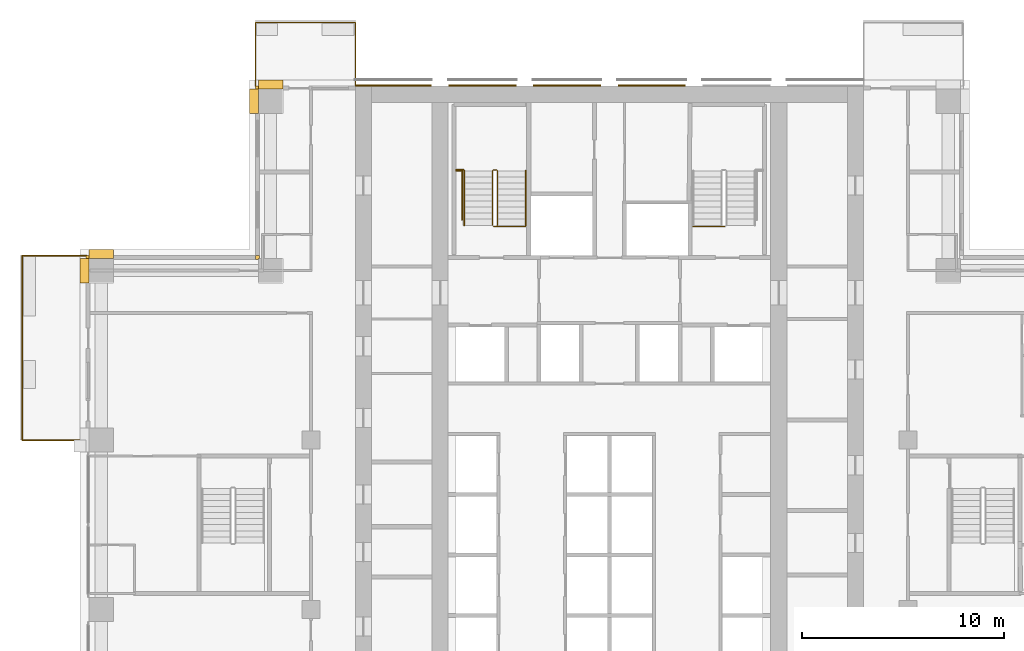
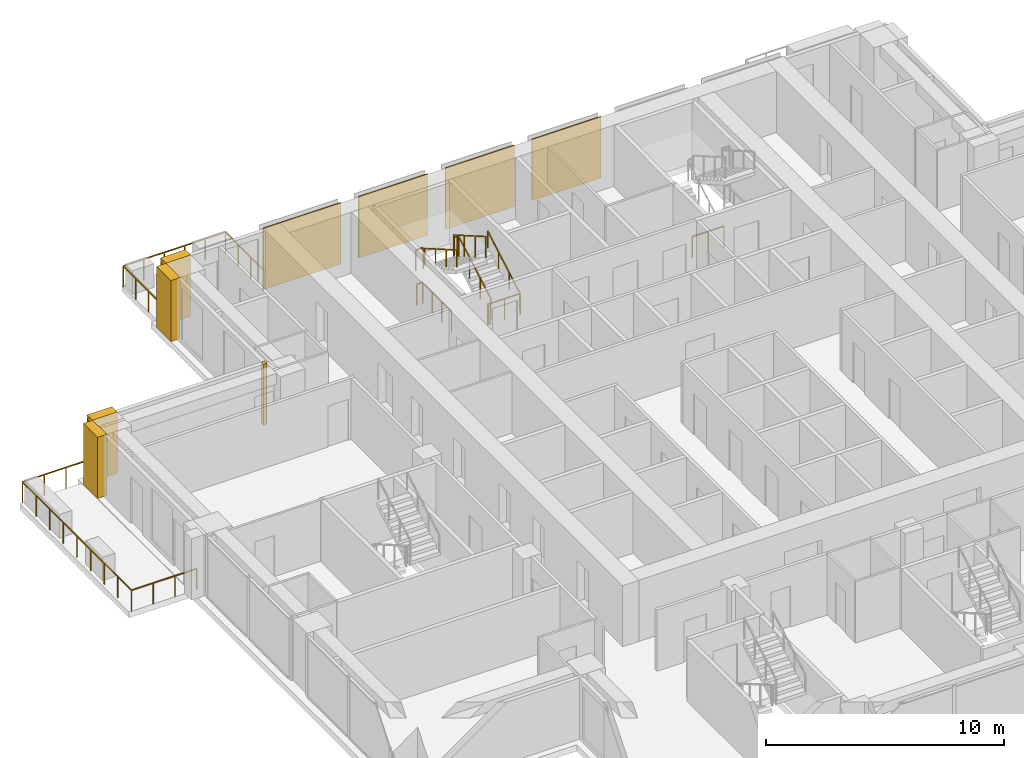
# One storey, part 16 of 17: 11 coverings, 9 railings.
"""IFC4 building model written with IfcOpenShell, lengths in metres."""

from ifc_helpers import new_model, si_unit, direction, frame, origin, origin_2d, place, context, subcontext, project, spatial, polyline, rectangle, outline, extrude, material, type_object, element, save


model = new_model("IFC4")

# Units and contexts
model_context = context("Model", 3, precision=1e-05, world=origin(), true_north=direction((0.0, 1.0)))
body_context = subcontext(model_context, "Body", "Model", "MODEL_VIEW")
ifc_project = project(units=[si_unit("LENGTHUNIT", "METRE"), si_unit("AREAUNIT", "SQUARE_METRE"), si_unit("VOLUMEUNIT", "CUBIC_METRE"), si_unit("PLANEANGLEUNIT", "RADIAN"), si_unit("MASSUNIT", "GRAM", prefix="KILO")], contexts=[model_context])

# Site, building, storey
site_placement = place(None, origin())
site = spatial("IfcSite", under=ifc_project, at=site_placement, CompositionType="ELEMENT")
building_placement = place(site_placement, origin())
building = spatial("IfcBuilding", under=site, at=building_placement, Name="Vermilion Ogive Tower", CompositionType="ELEMENT")
storey_placement = place(building_placement, frame((0.0, 0.0, 87.300048828125)))
storey = spatial("IfcBuildingStorey", under=building, at=storey_placement, Name="L21", CompositionType="ELEMENT", Elevation=87.300048828125)

# Railings
ifc_material_1 = material(Name="Stainless steel and glass", Category="steel")
railing_type_1 = type_object("IfcRailingType", Name="Balcony guard", PredefinedType="GUARDRAIL", material=ifc_material_1)
railing_1_placement = place(storey_placement, frame((-12.60009765625, 21.75, -0.0400390625)))
element("IfcRailing", 1, at=railing_1_placement, inside=storey, type_object=railing_type_1, Name="Guard N201", PredefinedType="GUARDRAIL", context=body_context, shape_type="SweptSolid", body=[
    extrude(rectangle(XDim=0.048095703125, YDim=0.048095703125, at=origin_2d()), frame((0.0, 0.0, 1.076171875), z_axis=(0.0, 1.0, 0.0), x_axis=(-1.0, 0.0, 0.0)), (0.0, 0.0, 1.0), 3.159912109375),
    extrude(rectangle(XDim=0.048095703125, YDim=0.048095703125, at=origin_2d()), frame((0.0, 3.159912109375, 1.076171875), z_axis=(-1.0, 0.0, 0.0), x_axis=(0.0, -1.0, 0.0)), (0.0, 0.0, 1.0), 4.949951171875),
    extrude(rectangle(XDim=0.048095703125, YDim=0.048095703125, at=origin_2d()), frame((-4.949951171875, 3.159912109375, 1.076171875), z_axis=(0.0, -1.0, 0.0), x_axis=(1.0, 0.0, 0.0)), (0.0, 0.0, 1.0), 3.159912109375),
    extrude(rectangle(XDim=0.0419921875, YDim=0.0419921875, at=origin_2d()), origin(), (0.0, 0.0, 1.0), 1.052001953125),
    extrude(rectangle(XDim=0.0419921875, YDim=0.0419921875, at=origin_2d()), frame((0.0, 1.05322265625, 0.0)), (0.0, 0.0, 1.0), 1.052001953125),
    extrude(rectangle(XDim=0.0419921875, YDim=0.0419921875, at=origin_2d()), frame((0.0, 2.106689453125, 0.0)), (0.0, 0.0, 1.0), 1.052001953125),
    extrude(rectangle(XDim=0.0419921875, YDim=0.0419921875, at=origin_2d()), frame((0.0, 3.159912109375, 0.0)), (0.0, 0.0, 1.0), 1.052001953125),
    extrude(rectangle(XDim=0.0419921875, YDim=0.0419921875, at=origin_2d()), frame((-0.989990234375, 3.159912109375, 0.0)), (0.0, 0.0, 1.0), 1.052001953125),
    extrude(rectangle(XDim=0.0419921875, YDim=0.0419921875, at=origin_2d()), frame((-1.97998046875, 3.159912109375, 0.0)), (0.0, 0.0, 1.0), 1.052001953125),
    extrude(rectangle(XDim=0.0419921875, YDim=0.0419921875, at=origin_2d()), frame((-2.969970703125, 3.159912109375, 0.0)), (0.0, 0.0, 1.0), 1.052001953125),
    extrude(rectangle(XDim=0.0419921875, YDim=0.0419921875, at=origin_2d()), frame((-3.9599609375, 3.159912109375, 0.0)), (0.0, 0.0, 1.0), 1.052001953125),
    extrude(rectangle(XDim=0.0419921875, YDim=0.0419921875, at=origin_2d()), frame((-4.949951171875, 3.159912109375, 0.0)), (0.0, 0.0, 1.0), 1.052001953125),
    extrude(rectangle(XDim=0.0419921875, YDim=0.0419921875, at=origin_2d()), frame((-4.949951171875, 2.106689453125, 0.0)), (0.0, 0.0, 1.0), 1.052001953125),
    extrude(rectangle(XDim=0.0419921875, YDim=0.0419921875, at=origin_2d()), frame((-4.949951171875, 1.05322265625, 0.0)), (0.0, 0.0, 1.0), 1.052001953125),
    extrude(rectangle(XDim=0.0419921875, YDim=0.0419921875, at=origin_2d()), frame((-4.949951171875, 0.0, 0.0)), (0.0, 0.0, 1.0), 1.052001953125),
])
railing_2_placement = place(storey_placement, frame((-25.949951171875, 13.35009765625, -0.0400390625)))
element("IfcRailing", 2, at=railing_2_placement, inside=storey, type_object=railing_type_1, Name="Guard W01", PredefinedType="GUARDRAIL", context=body_context, shape_type="SweptSolid", body=[
    extrude(rectangle(XDim=0.048095703125, YDim=0.048095703125, at=origin_2d()), frame((0.0, 0.0, 1.076171875), z_axis=(-1.0, 0.0, 0.0), x_axis=(0.0, -1.0, 0.0)), (0.0, 0.0, 1.0), 3.16015625),
    extrude(rectangle(XDim=0.048095703125, YDim=0.048095703125, at=origin_2d()), frame((-3.16015625, 0.0, 1.076171875), z_axis=(0.0, -1.0, 0.0), x_axis=(1.0, 0.0, 0.0)), (0.0, 0.0, 1.0), 9.150146484375),
    extrude(rectangle(XDim=0.048095703125, YDim=0.048095703125, at=origin_2d()), frame((-3.16015625, -9.150146484375, 1.076171875), z_axis=(1.0, 0.0, 0.0), x_axis=(0.0, 1.0, 0.0)), (0.0, 0.0, 1.0), 3.16015625),
    extrude(rectangle(XDim=0.0419921875, YDim=0.0419921875, at=origin_2d()), origin(), (0.0, 0.0, 1.0), 1.052001953125),
    extrude(rectangle(XDim=0.0419921875, YDim=0.0419921875, at=origin_2d()), frame((-1.053466796875, 0.0, 0.0)), (0.0, 0.0, 1.0), 1.052001953125),
    extrude(rectangle(XDim=0.0419921875, YDim=0.0419921875, at=origin_2d()), frame((-2.106689453125, 0.0, 0.0)), (0.0, 0.0, 1.0), 1.052001953125),
    extrude(rectangle(XDim=0.0419921875, YDim=0.0419921875, at=origin_2d()), frame((-3.16015625, 0.0, 0.0)), (0.0, 0.0, 1.0), 1.052001953125),
    extrude(rectangle(XDim=0.0419921875, YDim=0.0419921875, at=origin_2d()), frame((-3.16015625, -1.143798828125, 0.0)), (0.0, 0.0, 1.0), 1.052001953125),
    extrude(rectangle(XDim=0.0419921875, YDim=0.0419921875, at=origin_2d()), frame((-3.16015625, -2.28759765625, 0.0)), (0.0, 0.0, 1.0), 1.052001953125),
    extrude(rectangle(XDim=0.0419921875, YDim=0.0419921875, at=origin_2d()), frame((-3.16015625, -3.431396484375, 0.0)), (0.0, 0.0, 1.0), 1.052001953125),
    extrude(rectangle(XDim=0.0419921875, YDim=0.0419921875, at=origin_2d()), frame((-3.16015625, -4.5751953125, 0.0)), (0.0, 0.0, 1.0), 1.052001953125),
    extrude(rectangle(XDim=0.0419921875, YDim=0.0419921875, at=origin_2d()), frame((-3.16015625, -5.71875, 0.0)), (0.0, 0.0, 1.0), 1.052001953125),
    extrude(rectangle(XDim=0.0419921875, YDim=0.0419921875, at=origin_2d()), frame((-3.16015625, -6.862548828125, 0.0)), (0.0, 0.0, 1.0), 1.052001953125),
    extrude(rectangle(XDim=0.0419921875, YDim=0.0419921875, at=origin_2d()), frame((-3.16015625, -8.00634765625, 0.0)), (0.0, 0.0, 1.0), 1.052001953125),
    extrude(rectangle(XDim=0.0419921875, YDim=0.0419921875, at=origin_2d()), frame((-3.16015625, -9.150146484375, 0.0)), (0.0, 0.0, 1.0), 1.052001953125),
    extrude(rectangle(XDim=0.0419921875, YDim=0.0419921875, at=origin_2d()), frame((-2.106689453125, -9.150146484375, 0.0)), (0.0, 0.0, 1.0), 1.052001953125),
    extrude(rectangle(XDim=0.0419921875, YDim=0.0419921875, at=origin_2d()), frame((-1.053466796875, -9.150146484375, 0.0)), (0.0, 0.0, 1.0), 1.052001953125),
    extrude(rectangle(XDim=0.0419921875, YDim=0.0419921875, at=origin_2d()), frame((0.0, -9.150146484375, 0.0)), (0.0, 0.0, 1.0), 1.052001953125),
])
ifc_material_2 = material(Name="Steel S355 painted", Category="steel")
railing_type_2 = type_object("IfcRailingType", Name="Stair guard 1100", PredefinedType="GUARDRAIL", material=ifc_material_2)
railing_3_placement = place(storey_placement, frame((-5.75, 14.800048828125, 0.0)))
element("IfcRailing", 3, at=railing_3_placement, inside=storey, type_object=railing_type_2, Name="L21 ST1 stair guard 4", PredefinedType="GUARDRAIL", context=body_context, shape_type="SweptSolid", body=[
    extrude(rectangle(XDim=0.048095703125, YDim=0.048095703125, at=origin_2d()), frame((0.0, 0.0, 1.076171875), z_axis=(1.0, 0.0, 0.0), x_axis=(0.0, 1.0, 0.0)), (0.0, 0.0, 1.0), 0.14990234375),
    extrude(rectangle(XDim=0.048095703125, YDim=0.048095703125, at=origin_2d()), frame((0.14990234375, 0.0, 1.076171875), z_axis=(0.268603158521, 0.268603158521, 0.925043072762), x_axis=(-0.707106781187, 0.707106781187, 0.0)), (0.0, 0.0, 1.0), 0.186279296875),
    extrude(rectangle(XDim=0.048095703125, YDim=0.048095703125, at=origin_2d()), frame((0.199951171875, 0.050048828125, 1.24853515625), z_axis=(0.0, 0.866903762492, 0.498475542607), x_axis=(-1.0, 0.0, 0.0)), (0.0, 0.0, 1.0), 3.114501953125),
    extrude(rectangle(XDim=0.048095703125, YDim=0.048095703125, at=origin_2d()), frame((0.199951171875, 2.75, 2.80078125), z_axis=(-0.707106781187, 0.707106781187, 0.0), x_axis=(-0.707106781187, -0.707106781187, 0.0)), (0.0, 0.0, 1.0), 0.07080078125),
    extrude(rectangle(XDim=0.048095703125, YDim=0.048095703125, at=origin_2d()), frame((0.14990234375, 2.800048828125, 2.80078125), z_axis=(-1.0, 0.0, 0.0), x_axis=(0.0, -1.0, 0.0)), (0.0, 0.0, 1.0), 0.14990234375),
    extrude(rectangle(XDim=0.048095703125, YDim=0.048095703125, at=origin_2d()), frame((0.0, 2.800048828125, 2.80078125), z_axis=(-0.268277960024, -0.268277960024, 0.925231793839), x_axis=(0.707106781187, -0.707106781187, 0.0)), (0.0, 0.0, 1.0), 0.1865234375),
    extrude(rectangle(XDim=0.048095703125, YDim=0.048095703125, at=origin_2d()), frame((-0.050048828125, 2.75, 2.9736328125), z_axis=(0.0, -0.866903762492, 0.498475542607), x_axis=(1.0, 0.0, 0.0)), (0.0, 0.0, 1.0), 3.114501953125),
    extrude(rectangle(XDim=0.0419921875, YDim=0.0419921875, at=origin_2d()), origin(), (0.0, 0.0, 1.0), 1.052001953125),
    extrude(rectangle(XDim=0.0419921875, YDim=0.0419921875, at=origin_2d()), frame((0.14990234375, 0.0, 0.0)), (0.0, 0.0, 1.0), 1.052001953125),
    extrude(rectangle(XDim=0.0419921875, YDim=0.0419921875, at=origin_2d()), frame((0.199951171875, 0.050048828125, 0.17236328125)), (0.0, 0.0, 1.0), 1.052001953125),
    extrude(rectangle(XDim=0.0419921875, YDim=0.0419921875, at=origin_2d()), frame((0.199951171875, 0.949951171875, 0.68994140625)), (0.0, 0.0, 1.0), 1.052001953125),
    extrude(rectangle(XDim=0.0419921875, YDim=0.0419921875, at=origin_2d()), frame((0.199951171875, 1.85009765625, 1.207275390625)), (0.0, 0.0, 1.0), 1.052001953125),
    extrude(rectangle(XDim=0.0419921875, YDim=0.0419921875, at=origin_2d()), frame((0.199951171875, 2.75, 1.724853515625)), (0.0, 0.0, 1.0), 1.052001953125),
    extrude(rectangle(XDim=0.0419921875, YDim=0.0419921875, at=origin_2d()), frame((0.14990234375, 2.800048828125, 1.724853515625)), (0.0, 0.0, 1.0), 1.052001953125),
    extrude(rectangle(XDim=0.0419921875, YDim=0.0419921875, at=origin_2d()), frame((0.0, 2.800048828125, 1.724853515625)), (0.0, 0.0, 1.0), 1.052001953125),
    extrude(rectangle(XDim=0.0419921875, YDim=0.0419921875, at=origin_2d()), frame((-0.050048828125, 2.75, 1.8974609375)), (0.0, 0.0, 1.0), 1.052001953125),
    extrude(rectangle(XDim=0.0419921875, YDim=0.0419921875, at=origin_2d()), frame((-0.050048828125, 1.85009765625, 2.4150390625)), (0.0, 0.0, 1.0), 1.052001953125),
    extrude(rectangle(XDim=0.0419921875, YDim=0.0419921875, at=origin_2d()), frame((-0.050048828125, 0.949951171875, 2.932373046875)), (0.0, 0.0, 1.0), 1.052001953125),
    extrude(rectangle(XDim=0.0419921875, YDim=0.0419921875, at=origin_2d()), frame((-0.050048828125, 0.050048828125, 3.449951171875)), (0.0, 0.0, 1.0), 1.052001953125),
])
railing_4_placement = place(storey_placement, frame((-7.60009765625, 17.60009765625, 1.724853515625)))
element("IfcRailing", 4, at=railing_4_placement, inside=storey, type_object=railing_type_2, Name="L21 landing guard", PredefinedType="GUARDRAIL", context=body_context, shape_type="SweptSolid", body=[
    extrude(rectangle(XDim=0.048095703125, YDim=0.048095703125, at=origin_2d()), frame((0.0, 0.0, 1.076171875), z_axis=(1.0, 0.0, 0.0), x_axis=(0.0, 1.0, 0.0)), (0.0, 0.0, 1.0), 0.35009765625),
    extrude(rectangle(XDim=0.0419921875, YDim=0.0419921875, at=origin_2d()), origin(), (0.0, 0.0, 1.0), 1.052001953125),
    extrude(rectangle(XDim=0.0419921875, YDim=0.0419921875, at=origin_2d()), frame((0.35009765625, 0.0, 0.0)), (0.0, 0.0, 1.0), 1.052001953125),
])
railing_5_placement = place(storey_placement, frame((-4.159912109375, 14.7900390625, 0.0)))
element("IfcRailing", 5, at=railing_5_placement, inside=storey, type_object=railing_type_2, Name="L21 stair opening guard", PredefinedType="GUARDRAIL", context=body_context, shape_type="SweptSolid", body=[
    extrude(rectangle(XDim=0.048095703125, YDim=0.048095703125, at=origin_2d()), frame((0.0, 0.0, 1.076171875), z_axis=(-1.0, 0.0, 0.0), x_axis=(0.0, -1.0, 0.0)), (0.0, 0.0, 1.0), 1.5400390625),
    extrude(rectangle(XDim=0.0419921875, YDim=0.0419921875, at=origin_2d()), origin(), (0.0, 0.0, 1.0), 1.052001953125),
    extrude(rectangle(XDim=0.0419921875, YDim=0.0419921875, at=origin_2d()), frame((-0.77001953125, 0.0, 0.0)), (0.0, 0.0, 1.0), 1.052001953125),
    extrude(rectangle(XDim=0.0419921875, YDim=0.0419921875, at=origin_2d()), frame((-1.5400390625, 0.0, 0.0)), (0.0, 0.0, 1.0), 1.052001953125),
])
railing_6_placement = place(storey_placement, frame((-7.3095703125, 15.11865234375, 0.0)))
element("IfcRailing", 6, at=railing_6_placement, inside=storey, type_object=railing_type_2, Name="L21 stair opening guard", PredefinedType="GUARDRAIL", context=body_context, shape_type="SweptSolid", body=[
    extrude(rectangle(XDim=0.048095703125, YDim=0.048095703125, at=origin_2d()), frame((0.0, 0.0, 1.076171875), z_axis=(0.0, 1.0, 0.0), x_axis=(-1.0, 0.0, 0.0)), (0.0, 0.0, 1.0), 2.42431640625),
    extrude(rectangle(XDim=0.048095703125, YDim=0.048095703125, at=origin_2d()), frame((0.0, 2.42431640625, 1.076171875), z_axis=(-1.0, 0.0, 0.0), x_axis=(0.0, -1.0, 0.0)), (0.0, 0.0, 1.0), 0.2900390625),
    extrude(rectangle(XDim=0.0419921875, YDim=0.0419921875, at=origin_2d()), origin(), (0.0, 0.0, 1.0), 1.052001953125),
    extrude(rectangle(XDim=0.0419921875, YDim=0.0419921875, at=origin_2d()), frame((0.0, 0.80810546875, 0.0)), (0.0, 0.0, 1.0), 1.052001953125),
    extrude(rectangle(XDim=0.0419921875, YDim=0.0419921875, at=origin_2d()), frame((0.0, 1.6162109375, 0.0)), (0.0, 0.0, 1.0), 1.052001953125),
    extrude(rectangle(XDim=0.0419921875, YDim=0.0419921875, at=origin_2d()), frame((0.0, 2.42431640625, 0.0)), (0.0, 0.0, 1.0), 1.052001953125),
    extrude(rectangle(XDim=0.0419921875, YDim=0.0419921875, at=origin_2d()), frame((-0.2900390625, 2.42431640625, 0.0)), (0.0, 0.0, 1.0), 1.052001953125),
])
railing_7_placement = place(storey_placement, frame((5.699951171875, 14.7900390625, 0.0)))
element("IfcRailing", 7, at=railing_7_placement, inside=storey, type_object=railing_type_2, Name="L21 stair opening guard", PredefinedType="GUARDRAIL", context=body_context, shape_type="SweptSolid", body=[
    extrude(rectangle(XDim=0.048095703125, YDim=0.048095703125, at=origin_2d()), frame((0.0, 0.0, 1.076171875), z_axis=(-1.0, 0.0, 0.0), x_axis=(0.0, -1.0, 0.0)), (0.0, 0.0, 1.0), 1.5400390625),
    extrude(rectangle(XDim=0.0419921875, YDim=0.0419921875, at=origin_2d()), origin(), (0.0, 0.0, 1.0), 1.052001953125),
    extrude(rectangle(XDim=0.0419921875, YDim=0.0419921875, at=origin_2d()), frame((-0.77001953125, 0.0, 0.0)), (0.0, 0.0, 1.0), 1.052001953125),
    extrude(rectangle(XDim=0.0419921875, YDim=0.0419921875, at=origin_2d()), frame((-1.5400390625, 0.0, 0.0)), (0.0, 0.0, 1.0), 1.052001953125),
])
ifc_material_3 = material(Name="Stainless steel", Category="steel")
railing_type_3 = type_object("IfcRailingType", Name="Stair handrail 900", PredefinedType="HANDRAIL", material=ifc_material_3)
railing_8_placement = place(storey_placement, frame((-4.14990234375, 14.85009765625, 0.17236328125)))
element("IfcRailing", 8, at=railing_8_placement, inside=storey, type_object=railing_type_3, Name="L21 ST1 stair handrail 1", PredefinedType="HANDRAIL", context=body_context, shape_type="SweptSolid", body=[
    extrude(rectangle(XDim=0.048095703125, YDim=0.048095703125, at=origin_2d()), frame((0.0, 0.0, 0.8759765625), z_axis=(0.0, 0.866903762492, 0.498475542607), x_axis=(-1.0, 0.0, 0.0)), (0.0, 0.0, 1.0), 3.114501953125),
    extrude(rectangle(XDim=0.0419921875, YDim=0.0419921875, at=origin_2d()), origin(), (0.0, 0.0, 1.0), 0.851806640625),
    extrude(rectangle(XDim=0.0419921875, YDim=0.0419921875, at=origin_2d()), frame((0.0, 0.89990234375, 0.517578125)), (0.0, 0.0, 1.0), 0.851806640625),
    extrude(rectangle(XDim=0.0419921875, YDim=0.0419921875, at=origin_2d()), frame((0.0, 1.800048828125, 1.034912109375)), (0.0, 0.0, 1.0), 0.851806640625),
    extrude(rectangle(XDim=0.0419921875, YDim=0.0419921875, at=origin_2d()), frame((0.0, 2.699951171875, 1.552490234375)), (0.0, 0.0, 1.0), 0.851806640625),
])
railing_9_placement = place(storey_placement, frame((-7.199951171875, 17.550048828125, 1.8974609375)))
element("IfcRailing", 9, at=railing_9_placement, inside=storey, type_object=railing_type_3, Name="L21 ST1 stair handrail 2", PredefinedType="HANDRAIL", context=body_context, shape_type="SweptSolid", body=[
    extrude(rectangle(XDim=0.048095703125, YDim=0.048095703125, at=origin_2d()), frame((0.0, 0.0, 0.8759765625), z_axis=(0.0, -0.866903762492, 0.498475542607), x_axis=(1.0, 0.0, 0.0)), (0.0, 0.0, 1.0), 3.114501953125),
    extrude(rectangle(XDim=0.0419921875, YDim=0.0419921875, at=origin_2d()), origin(), (0.0, 0.0, 1.0), 0.851806640625),
    extrude(rectangle(XDim=0.0419921875, YDim=0.0419921875, at=origin_2d()), frame((0.0, -0.89990234375, 0.517578125)), (0.0, 0.0, 1.0), 0.851806640625),
    extrude(rectangle(XDim=0.0419921875, YDim=0.0419921875, at=origin_2d()), frame((0.0, -1.800048828125, 1.034912109375)), (0.0, 0.0, 1.0), 0.851806640625),
    extrude(rectangle(XDim=0.0419921875, YDim=0.0419921875, at=origin_2d()), frame((0.0, -2.699951171875, 1.552490234375)), (0.0, 0.0, 1.0), 0.851806640625),
])

# Coverings
ifc_material_4 = material(Name="Stone cladding", Category="masonry")
covering_type_1 = type_object("IfcCoveringType", Name="Stone cladding panel", PredefinedType="CLADDING", material=ifc_material_4)
covering_1_placement = place(storey_placement, origin())
element("IfcCovering", 10, at=covering_1_placement, inside=storey, type_object=covering_type_1, Name="Stone cladding panel N1", PredefinedType="CLADDING", context=body_context, shape_type="SweptSolid", body=[
    extrude(outline(polyline([(-12.590087890625, 21.75), (-8.830078125, 21.75), (-8.830078125, 21.81005859375), (-12.590087890625, 21.81005859375), (-12.590087890625, 21.75)])), origin(), (0.0, 0.0, 1.0), 3.1298828125),
])
covering_2_placement = place(storey_placement, origin())
element("IfcCovering", 11, at=covering_2_placement, inside=storey, type_object=covering_type_1, Name="Stone cladding panel N2", PredefinedType="CLADDING", context=body_context, shape_type="SweptSolid", body=[
    extrude(outline(polyline([(-7.969970703125, 21.75), (-4.6298828125, 21.75), (-4.6298828125, 21.81005859375), (-7.969970703125, 21.81005859375), (-7.969970703125, 21.75)])), origin(), (0.0, 0.0, 1.0), 3.1298828125),
])
covering_3_placement = place(storey_placement, origin())
element("IfcCovering", 12, at=covering_3_placement, inside=storey, type_object=covering_type_1, Name="Stone cladding panel N3", PredefinedType="CLADDING", context=body_context, shape_type="SweptSolid", body=[
    extrude(outline(polyline([(-3.77001953125, 21.75), (-0.429931640625, 21.75), (-0.429931640625, 21.81005859375), (-3.77001953125, 21.81005859375), (-3.77001953125, 21.75)])), origin(), (0.0, 0.0, 1.0), 3.1298828125),
])
covering_4_placement = place(storey_placement, origin())
element("IfcCovering", 13, at=covering_4_placement, inside=storey, type_object=covering_type_1, Name="Stone cladding panel N4", PredefinedType="CLADDING", context=body_context, shape_type="SweptSolid", body=[
    extrude(outline(polyline([(0.429931640625, 21.75), (3.77001953125, 21.75), (3.77001953125, 21.81005859375), (0.429931640625, 21.81005859375), (0.429931640625, 21.75)])), origin(), (0.0, 0.0, 1.0), 3.1298828125),
])
ifc_material_5 = material(Name="Stone cladding", Category="masonry")
covering_type_2 = type_object("IfcCoveringType", Name="Stone pier", PredefinedType="CLADDING", material=ifc_material_5)
covering_5_placement = place(storey_placement, origin())
element("IfcCovering", 14, at=covering_5_placement, inside=storey, type_object=covering_type_2, Name="Stone corner pier N2E1", PredefinedType="CLADDING", context=body_context, shape_type="SweptSolid", body=[
    extrude(outline(polyline([(-17.39990234375, 21.75), (-17.39990234375, 21.60009765625), (-17.39990234375, 21.60009765625), (-17.550048828125, 21.60009765625), (-17.550048828125, 21.75), (-17.39990234375, 21.75)])), origin(), (0.0, 0.0, 1.0), 3.1298828125),
])
covering_6_placement = place(storey_placement, origin())
element("IfcCovering", 15, at=covering_6_placement, inside=storey, type_object=covering_type_2, Name="Stone corner pier X5E1", PredefinedType="CLADDING", context=body_context, shape_type="SweptSolid", body=[
    extrude(outline(polyline([(-17.35009765625, 13.199951171875), (-17.39990234375, 13.199951171875), (-17.39990234375, 13.14990234375), (-17.550048828125, 13.14990234375), (-17.550048828125, 13.35009765625), (-17.35009765625, 13.35009765625), (-17.35009765625, 13.199951171875)])), origin(), (0.0, 0.0, 1.0), 3.1298828125),
])
covering_7_placement = place(storey_placement, origin())
element("IfcCovering", 16, at=covering_7_placement, inside=storey, type_object=covering_type_2, Name="Stone corner pier X6E1", PredefinedType="CLADDING", context=body_context, shape_type="SweptSolid", body=[
    extrude(outline(polyline([(-25.800048828125, 13.35009765625), (-25.800048828125, 13.199951171875), (-25.949951171875, 13.199951171875), (-25.949951171875, 13.35009765625), (-25.800048828125, 13.35009765625)])), origin(), (0.0, 0.0, 1.0), 3.1298828125),
])
covering_8_placement = place(storey_placement, origin())
element("IfcCovering", 17, at=covering_8_placement, inside=storey, type_object=covering_type_2, Name="Stone pier P-0168+210N2", PredefinedType="CLADDING", context=body_context, shape_type="SweptSolid", body=[
    extrude(outline(polyline([(-17.39990234375, 22.050048828125), (-16.199951171875, 22.050048828125), (-16.199951171875, 21.60009765625), (-17.39990234375, 21.60009765625), (-17.39990234375, 22.050048828125)])), origin(), (0.0, 0.0, 1.0), 3.1298828125),
])
covering_9_placement = place(storey_placement, origin())
element("IfcCovering", 18, at=covering_9_placement, inside=storey, type_object=covering_type_2, Name="Stone pier P-0168+210X5", PredefinedType="CLADDING", context=body_context, shape_type="SweptSolid", body=[
    extrude(outline(polyline([(-17.85009765625, 21.60009765625), (-17.39990234375, 21.60009765625), (-17.39990234375, 20.39990234375), (-17.85009765625, 20.39990234375), (-17.85009765625, 21.60009765625)])), origin(), (0.0, 0.0, 1.0), 3.1298828125),
])
covering_10_placement = place(storey_placement, origin())
element("IfcCovering", 19, at=covering_10_placement, inside=storey, type_object=covering_type_2, Name="Stone pier P-0252+126X6", PredefinedType="CLADDING", context=body_context, shape_type="SweptSolid", body=[
    extrude(outline(polyline([(-25.800048828125, 13.199951171875), (-25.800048828125, 13.64990234375), (-24.60009765625, 13.64990234375), (-24.60009765625, 13.199951171875), (-24.60009765625, 13.199951171875), (-25.800048828125, 13.199951171875)])), origin(), (0.0, 0.0, 1.0), 3.1298828125),
])
covering_11_placement = place(storey_placement, origin())
element("IfcCovering", 20, at=covering_11_placement, inside=storey, type_object=covering_type_2, Name="Stone pier P-0252+126W", PredefinedType="CLADDING", context=body_context, shape_type="SweptSolid", body=[
    extrude(outline(polyline([(-26.25, 13.199951171875), (-25.800048828125, 13.199951171875), (-25.800048828125, 12.0), (-26.25, 12.0), (-26.25, 13.199951171875)])), origin(), (0.0, 0.0, 1.0), 3.1298828125),
])

save(model, "model.ifc")
